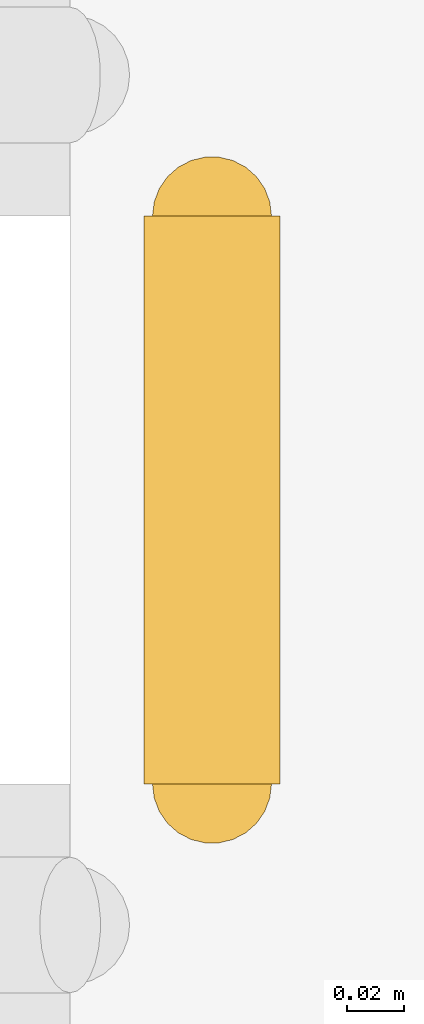
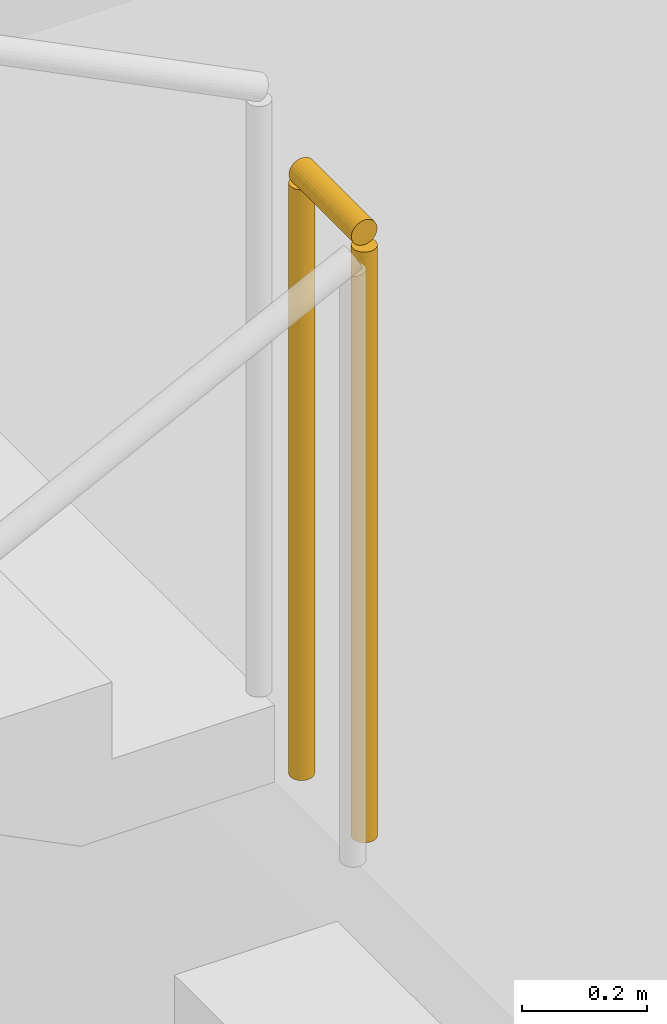
# One storey, part 81 of 85: 1 railing.
"""IFC4 building model written with IfcOpenShell, lengths in metres."""

from ifc_helpers import new_model, si_unit, direction, frame, origin, origin_2d, place, context, subcontext, project, spatial, circle, extrude, material, type_object, element, save


model = new_model("IFC4")

# Units and contexts
model_context = context("Model", 3, precision=1e-05, world=origin(), true_north=direction((0.0, 1.0)))
body_context = subcontext(model_context, "Body", "Model", "MODEL_VIEW")
ifc_project = project(units=[si_unit("LENGTHUNIT", "METRE"), si_unit("AREAUNIT", "SQUARE_METRE"), si_unit("VOLUMEUNIT", "CUBIC_METRE"), si_unit("PLANEANGLEUNIT", "RADIAN"), si_unit("MASSUNIT", "GRAM", prefix="KILO"), si_unit("THERMODYNAMICTEMPERATUREUNIT", "KELVIN")], contexts=[model_context])

# Site, building, storey
site_placement = place(None, origin())
site = spatial("IfcSite", under=ifc_project, at=site_placement, CompositionType="ELEMENT")
building_placement = place(site_placement, origin())
building = spatial("IfcBuilding", under=site, at=building_placement, Name="Lustrewick Department Store", CompositionType="ELEMENT")
storey_placement = place(building_placement, origin())
storey = spatial("IfcBuildingStorey", under=building, at=storey_placement, Name="L01", CompositionType="ELEMENT", Elevation=0.0)

# Railing
ifc_material = material(Name="Painted tubular steel stairwell guardrail", Category="steel")
railing_type = type_object("IfcRailingType", Name="RL-STG", PredefinedType="GUARDRAIL", material=ifc_material)
railing_placement = place(storey_placement, frame((126.699951171875, 78.39990234375, 3.0)))
element("IfcRailing", 1, at=railing_placement, inside=storey, type_object=railing_type, Name="L01 ST10 Stair Guard 2", PredefinedType="GUARDRAIL", context=body_context, shape_type="SweptSolid", body=[
    extrude(circle(Radius=0.02392578125, at=origin_2d()), frame((0.0, 0.0, 1.17578125), z_axis=(0.0, 1.0, 0.0), x_axis=(-1.0, 0.0, 0.0)), (0.0, 0.0, 1.0), 0.2001953125),
    extrude(circle(Radius=0.02099609375, at=origin_2d()), origin(), (0.0, 0.0, 1.0), 1.15185546875),
    extrude(circle(Radius=0.02099609375, at=origin_2d()), frame((0.0, 0.2001953125, 0.0)), (0.0, 0.0, 1.0), 1.15185546875),
])

save(model, "model.ifc")
